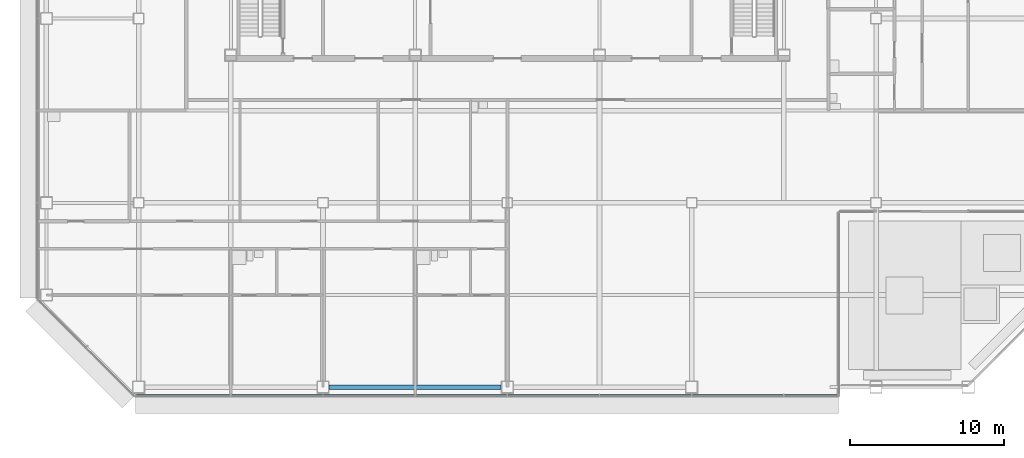
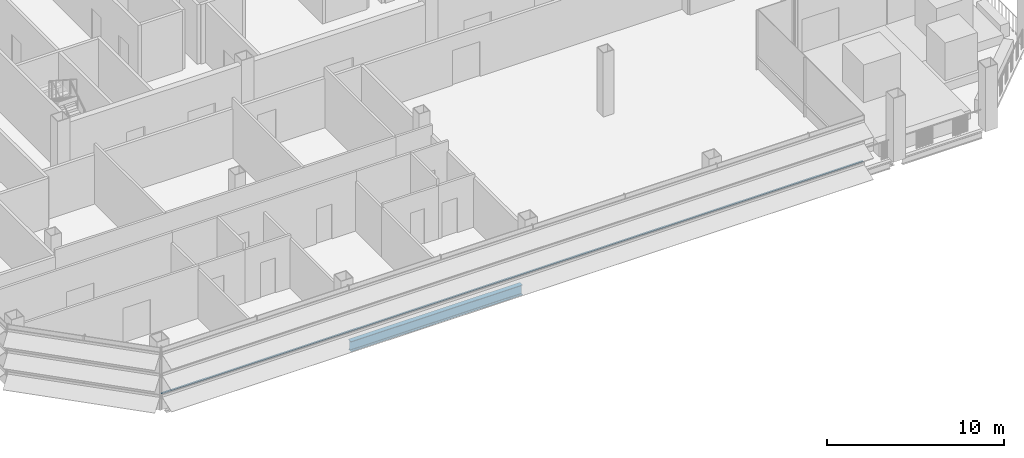
# One storey, part 3 of 28: 1 beam, 1 member, 1 element without a shape of its own.
"""IFC4 building model written with IfcOpenShell, lengths in metres."""

from ifc_helpers import new_model, si_unit, direction, frame, origin, origin_2d, place, context, subcontext, project, spatial, rectangle, i_section, extrude, material, material_profile, profile_set, type_object, element, aggregate, save


model = new_model("IFC4")

# Units and contexts
model_context = context("Model", 3, precision=1e-05, world=origin(), true_north=direction((0.0, 1.0)))
body_context = subcontext(model_context, "Body", "Model", "MODEL_VIEW")
ifc_project = project(units=[si_unit("LENGTHUNIT", "METRE"), si_unit("AREAUNIT", "SQUARE_METRE"), si_unit("VOLUMEUNIT", "CUBIC_METRE"), si_unit("PLANEANGLEUNIT", "RADIAN"), si_unit("MASSUNIT", "GRAM", prefix="KILO")], contexts=[model_context])

# Site, building, storey
site_placement = place(None, origin())
site = spatial("IfcSite", under=ifc_project, at=site_placement, CompositionType="ELEMENT")
building_placement = place(site_placement, origin())
building = spatial("IfcBuilding", under=site, at=building_placement, Name="Sorahane Residences", CompositionType="ELEMENT")
storey_placement = place(building_placement, frame((0.0, 0.0, 134.0)))
storey = spatial("IfcBuildingStorey", under=building, at=storey_placement, Name="L30", CompositionType="ELEMENT", Elevation=134.0)

# Curtain wall, member
ifc_material_1 = material(Name="Dark low-e glass and black anodised aluminium", Category="aluminium")
curtain_wall_type = type_object("IfcCurtainWallType", Name="Curtain wall CW-1 Typical unitised wall", PredefinedType="NOTDEFINED", material=ifc_material_1)
curtain_wall_placement = place(storey_placement, origin())
curtain_wall = element("IfcCurtainWall", 1, at=curtain_wall_placement, inside=storey, type_object=curtain_wall_type, Name="CW-1 curtain wall L30 S1", PredefinedType="NOTDEFINED")
ifc_material_2 = material(Name="Black anodised aluminium", Category="aluminium")
ifc_material_profile_1 = material_profile(ifc_material_2, rectangle(XDim=0.10009765625, YDim=0.06005859375, at=origin_2d()), Name="Curtain wall transom CW-1 black anodised aluminium 60x100")
ifc_profile_set_1 = profile_set([ifc_material_profile_1], Name="Black anodised aluminium")
member_type = type_object("IfcMemberType", Name="Curtain wall transom CW-1 black anodised aluminium 60x100", PredefinedType="USERDEFINED", material=ifc_profile_set_1)
member_placement = place(storey_placement, frame((-0.198486328125, -0.530029296875, 0.89990234375), z_axis=(1.0, 0.0, 0.0), x_axis=(0.0, 1.0, 0.0)))
member = element("IfcMember", 2, at=member_placement, type_object=member_type, Name="CW-1 transom L30 S1", ObjectType="TRANSOM", PredefinedType="USERDEFINED", context=body_context, shape_type="SweptSolid", body=[
    extrude(rectangle(XDim=0.10009765625, YDim=0.06005859375, at=origin_2d()), origin(), (0.0, 0.0, 1.0), 45.74853515625),
])
aggregate(curtain_wall, [member])

# Beam
ifc_material_3 = material(Name="Steel Q355B", Category="steel")
ifc_material_profile_2 = material_profile(ifc_material_3, i_section(OverallWidth=0.300048828125, OverallDepth=0.699951171875, WebThickness=0.012939453125, FlangeThickness=0.02392578125, FilletRadius=0.028076171875, at=origin_2d()), Name="HN 700x300x13x24")
ifc_profile_set_2 = profile_set([ifc_material_profile_2], Name="Steel Q355B")
beam_type = type_object("IfcBeamType", Name="Steel floor beam HN 700x300x13x24 Q355B", PredefinedType="BEAM", material=ifc_profile_set_2)
beam_placement = place(storey_placement, frame((12.39990234375, 0.0, -0.530029296875), z_axis=(1.0, 0.0, 0.0), x_axis=(0.0, 1.0, 0.0)))
element("IfcBeam", 3, at=beam_placement, inside=storey, type_object=beam_type, Name="Beam L30 001", PredefinedType="BEAM", context=body_context, shape_type="SweptSolid", body=[
    extrude(i_section(OverallWidth=0.300048828125, OverallDepth=0.699951171875, WebThickness=0.012939453125, FlangeThickness=0.02392578125, FilletRadius=0.028076171875, at=origin_2d()), origin(), (0.0, 0.0, 1.0), 11.2001953125),
])

save(model, "model.ifc")
